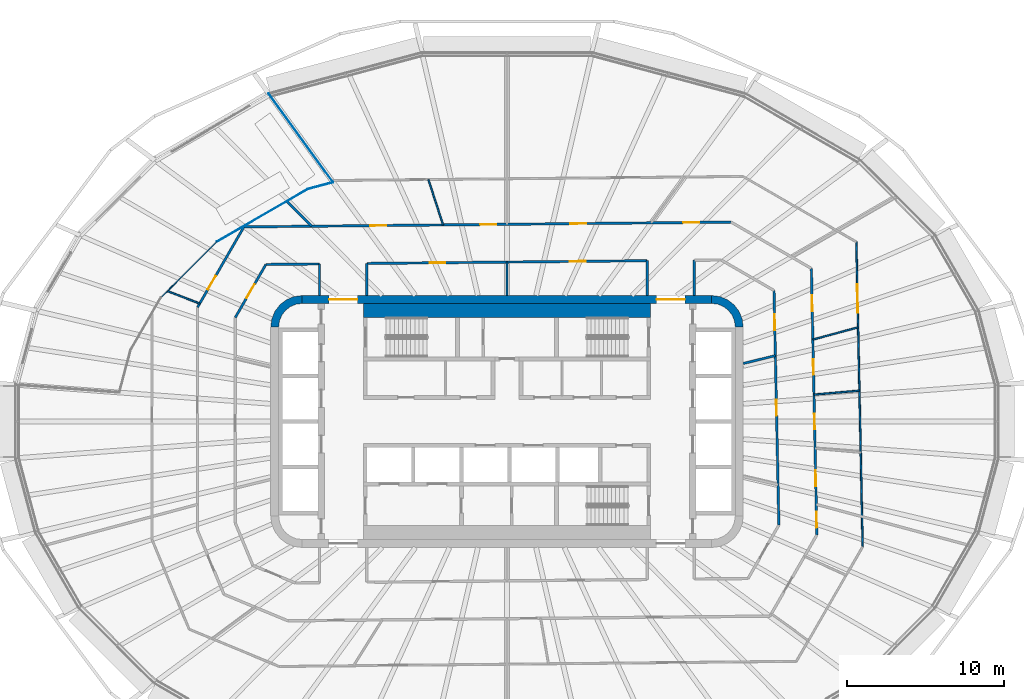
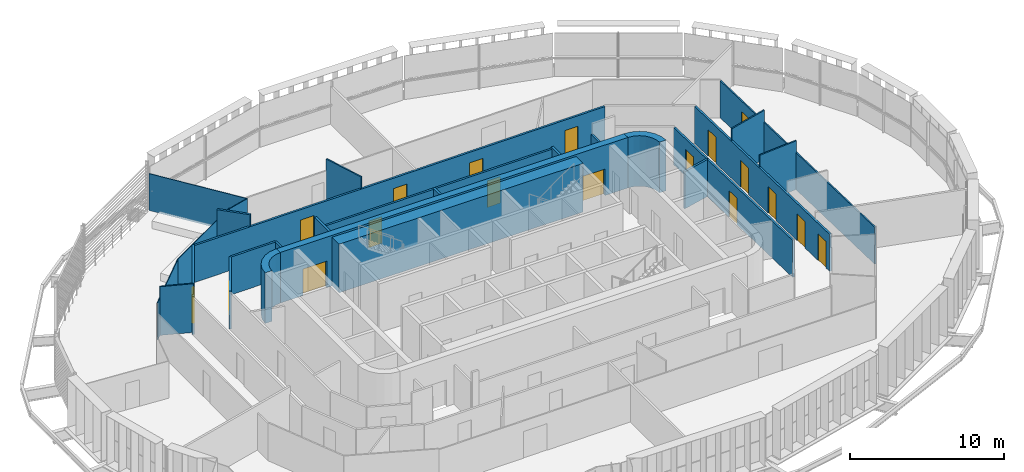
# One storey, part 14 of 23: 27 walls, 18 doors, 18 openings.
"""IFC4 building model written with IfcOpenShell, lengths in metres."""

from ifc_helpers import new_model, si_unit, direction, frame, frame_2d, origin, place, context, subcontext, project, spatial, polyline, rectangle, outline, extrude, material, layer, layer_set, type_object, element, fill, save


model = new_model("IFC4")

# Units and contexts
model_context = context("Model", 3, precision=1e-05, world=origin(), true_north=direction((0.0, 1.0)))
body_context = subcontext(model_context, "Body", "Model", "MODEL_VIEW")
ifc_project = project(units=[si_unit("LENGTHUNIT", "METRE"), si_unit("AREAUNIT", "SQUARE_METRE"), si_unit("VOLUMEUNIT", "CUBIC_METRE"), si_unit("PLANEANGLEUNIT", "RADIAN"), si_unit("MASSUNIT", "GRAM", prefix="KILO")], contexts=[model_context])

# Site, building, storey
site_placement = place(None, origin())
site = spatial("IfcSite", under=ifc_project, at=site_placement, CompositionType="ELEMENT")
building_placement = place(site_placement, origin())
building = spatial("IfcBuilding", under=site, at=building_placement, Name="Sahrelin Media Tower", CompositionType="ELEMENT")
storey_placement = place(building_placement, frame((0.0, 0.0, 169.60009765625)))
storey = spatial("IfcBuildingStorey", under=building, at=storey_placement, Name="L35", CompositionType="ELEMENT", Elevation=169.60009765625)

# Wall, openings, doors
ifc_material_1 = material(Name="Concrete C60/75", Category="concrete")
ifc_layer_1 = layer(ifc_material_1, 0.5)
ifc_layer_set_1 = layer_set([ifc_layer_1], Name="Core wall 500")
wall_type_1 = type_object("IfcWallType", Name="Core wall 500", PredefinedType="SHEAR", material=ifc_layer_set_1)
wall_1_placement = place(storey_placement, frame((-13.0, 7.75, 0.0), z_axis=(0.0, 0.0, 1.0), x_axis=(1.0, 0.0, 0.0)))
wall_1 = element("IfcWall", 1, at=wall_1_placement, inside=storey, type_object=wall_type_1, Name="Core wall N L35", PredefinedType="SHEAR", context=body_context, shape_type="SweptSolid", body=[
    extrude(rectangle(XDim=26.0, YDim=0.5, at=frame_2d((13.0, 0.0))), origin(), (0.0, 0.0, 1.0), 4.0),
])
opening_1_placement = place(wall_1_placement, frame((1.699951171875, 0.0, 0.0)))
opening_1 = element("IfcOpeningElement", 2, at=opening_1_placement, cuts=wall_1, Name="Opening L35-D19", PredefinedType="OPENING", context=body_context, shape_type="SweptSolid", body=[
    extrude(rectangle(XDim=1.800048828125, YDim=2.10009765625, at=frame_2d((0.89990234375, 1.050048828125))), frame((0.0, 0.25, 0.0), z_axis=(0.0, -1.0, 0.0), x_axis=(1.0, 0.0, 0.0)), (0.0, 0.0, 1.0), 0.5),
])
opening_2_placement = place(wall_1_placement, frame((22.5, 0.0, 0.0)))
opening_2 = element("IfcOpeningElement", 3, at=opening_2_placement, cuts=wall_1, Name="Opening L35-D20", PredefinedType="OPENING", context=body_context, shape_type="SweptSolid", body=[
    extrude(rectangle(XDim=1.800048828125, YDim=2.10009765625, at=frame_2d((0.89990234375, 1.050048828125))), frame((0.0, 0.25, 0.0), z_axis=(0.0, -1.0, 0.0), x_axis=(1.0, 0.0, 0.0)), (0.0, 0.0, 1.0), 0.5),
])
ifc_material_2 = material(Name="Steel fire door leaf", Category="steel")
door_type_1 = type_object("IfcDoorType", Name="Lobby double door 1800 x 2100 EI 60", OperationType="DOUBLE_DOOR_SINGLE_SWING", PredefinedType="DOOR", material=ifc_material_2)
door_1_placement = place(opening_1_placement, origin())
door_1 = element("IfcDoor", 4, at=door_1_placement, inside=storey, type_object=door_type_1, Name="Lobby door", OperationType="DOUBLE_DOOR_SINGLE_SWING", OverallHeight=2.10009765625, OverallWidth=1.800048828125, PredefinedType="DOOR", context=body_context, shape_type="SweptSolid", body=[
    extrude(rectangle(XDim=1.800048828125, YDim=2.10009765625, at=frame_2d((0.89990234375, 1.050048828125))), frame((0.0, 0.02490234375, 0.0), z_axis=(0.0, -1.0, 0.0), x_axis=(1.0, 0.0, 0.0)), (0.0, 0.0, 1.0), 0.050048828125),
])
fill(opening_1, door_1)
door_2_placement = place(opening_2_placement, origin())
door_2 = element("IfcDoor", 5, at=door_2_placement, inside=storey, type_object=door_type_1, Name="Lobby door", OperationType="DOUBLE_DOOR_SINGLE_SWING", OverallHeight=2.10009765625, OverallWidth=1.800048828125, PredefinedType="DOOR", context=body_context, shape_type="SweptSolid", body=[
    extrude(rectangle(XDim=1.800048828125, YDim=2.10009765625, at=frame_2d((0.89990234375, 1.050048828125))), frame((0.0, 0.02490234375, 0.0), z_axis=(0.0, -1.0, 0.0), x_axis=(1.0, 0.0, 0.0)), (0.0, 0.0, 1.0), 0.050048828125),
])
fill(opening_2, door_2)

# Walls
placement = place(storey_placement, origin())
element("IfcWall", 6, at=placement, inside=storey, type_object=wall_type_1, Name="Core wall corner NE L35", PredefinedType="SHEAR", context=body_context, shape_type="SweptSolid", body=[
    extrude(outline(polyline([(13.0, 8.0), (13.0, 7.49560546875), (13.38720703125, 7.44482421875), (13.747802734375, 7.29541015625), (14.0576171875, 7.0576171875), (14.29541015625, 6.747802734375), (14.44482421875, 6.38720703125), (14.49560546875, 6.0), (15.0, 6.0), (14.931884765625, 6.517578125), (14.732177734375, 7.0), (14.414306640625, 7.414306640625), (14.0, 7.732177734375), (13.517578125, 7.931884765625), (13.0, 8.0)])), origin(), (0.0, 0.0, 1.0), 4.0),
])
element("IfcWall", 7, at=placement, inside=storey, type_object=wall_type_1, Name="Core wall corner NW L35", PredefinedType="SHEAR", context=body_context, shape_type="SweptSolid", body=[
    extrude(outline(polyline([(-15.0, 6.0), (-14.49560546875, 6.0), (-14.44482421875, 6.38720703125), (-14.29541015625, 6.747802734375), (-14.0576171875, 7.0576171875), (-13.747802734375, 7.29541015625), (-13.38720703125, 7.44482421875), (-13.0, 7.49560546875), (-13.0, 8.0), (-13.517578125, 7.931884765625), (-14.0, 7.732177734375), (-14.414306640625, 7.414306640625), (-14.732177734375, 7.0), (-14.931884765625, 6.517578125), (-15.0, 6.0)])), origin(), (0.0, 0.0, 1.0), 4.0),
])

# Wall, openings, doors
ifc_material_3 = material(Name="Fire-rated gypsum board partition")
ifc_layer_2 = layer(ifc_material_3, 0.14990234375)
ifc_layer_set_2 = layer_set([ifc_layer_2], Name="Fire-rated partition 150")
wall_type_2 = type_object("IfcWallType", Name="Fire-rated partition 150", PredefinedType="PARTITIONING", material=ifc_layer_set_2)
wall_4_placement = place(storey_placement, frame((16.954833984375, 8.31396484375, 0.0), z_axis=(0.0, 0.0, 1.0), x_axis=(0.020631568882, -0.999787146529, 0.0)))
wall_4 = element("IfcWall", 8, at=wall_4_placement, inside=storey, type_object=wall_type_2, Name="Wall", PredefinedType="PARTITIONING", context=body_context, shape_type="SweptSolid", body=[
    extrude(rectangle(XDim=14.898193359375, YDim=0.14990234375, at=frame_2d((7.44921875, 0.0))), origin(), (0.0, 0.0, 1.0), 2.927001953125),
])
opening_3_placement = place(wall_4_placement, frame((6.94873046875, 0.0, 0.0)))
opening_3 = element("IfcOpeningElement", 9, at=opening_3_placement, cuts=wall_4, Name="Opening L35-D26", PredefinedType="OPENING", context=body_context, shape_type="SweptSolid", body=[
    extrude(rectangle(XDim=1.0, YDim=2.10009765625, at=frame_2d((0.5, 1.050048828125))), frame((0.0, 0.074951171875, 0.0), z_axis=(0.0, -1.0, 0.0), x_axis=(1.0, 0.0, 0.0)), (0.0, 0.0, 1.0), 0.14990234375),
])
opening_4_placement = place(wall_4_placement, frame((1.514404296875, 0.0, 0.0)))
opening_4 = element("IfcOpeningElement", 10, at=opening_4_placement, cuts=wall_4, Name="Opening L35-D27", PredefinedType="OPENING", context=body_context, shape_type="SweptSolid", body=[
    extrude(rectangle(XDim=1.0, YDim=2.10009765625, at=frame_2d((0.5, 1.050048828125))), frame((0.0, 0.074951171875, 0.0), z_axis=(0.0, -1.0, 0.0), x_axis=(1.0, 0.0, 0.0)), (0.0, 0.0, 1.0), 0.14990234375),
])
door_type_2 = type_object("IfcDoorType", Name="Fire door 1000 x 2100 EI 60", OperationType="NOTDEFINED", PredefinedType="DOOR", material=ifc_material_2)
door_3_placement = place(opening_3_placement, origin())
door_3 = element("IfcDoor", 11, at=door_3_placement, inside=storey, type_object=door_type_2, Name="Fire door", OperationType="SINGLE_SWING_LEFT", OverallHeight=2.10009765625, OverallWidth=1.0, PredefinedType="DOOR", context=body_context, shape_type="SweptSolid", body=[
    extrude(rectangle(XDim=1.0, YDim=2.10009765625, at=frame_2d((0.5, 1.050048828125))), frame((0.0, 0.02490234375, 0.0), z_axis=(0.0, -1.0, 0.0), x_axis=(1.0, 0.0, 0.0)), (0.0, 0.0, 1.0), 0.050048828125),
])
fill(opening_3, door_3)
door_4_placement = place(opening_4_placement, origin())
door_4 = element("IfcDoor", 12, at=door_4_placement, inside=storey, type_object=door_type_2, Name="Fire door", OperationType="SINGLE_SWING_LEFT", OverallHeight=2.10009765625, OverallWidth=1.0, PredefinedType="DOOR", context=body_context, shape_type="SweptSolid", body=[
    extrude(rectangle(XDim=1.0, YDim=2.10009765625, at=frame_2d((0.5, 1.050048828125))), frame((0.0, 0.02490234375, 0.0), z_axis=(0.0, -1.0, 0.0), x_axis=(1.0, 0.0, 0.0)), (0.0, 0.0, 1.0), 0.050048828125),
])
fill(opening_4, door_4)

wall_5_placement = place(storey_placement, frame((19.326904296875, 9.716064453125, 0.0), z_axis=(0.0, 0.0, 1.0), x_axis=(0.020632909715, -0.999787118859, 0.0)))
wall_5 = element("IfcWall", 13, at=wall_5_placement, inside=storey, type_object=wall_type_2, Name="Wall", PredefinedType="PARTITIONING", context=body_context, shape_type="SweptSolid", body=[
    extrude(rectangle(XDim=16.920654296875, YDim=0.14990234375, at=frame_2d((8.46044921875, 0.0))), origin(), (0.0, 0.0, 1.0), 2.927001953125),
])
opening_5_placement = place(wall_5_placement, frame((15.45068359375, 0.0, 0.0)))
opening_5 = element("IfcOpeningElement", 14, at=opening_5_placement, cuts=wall_5, Name="Opening L35-D40", PredefinedType="OPENING", context=body_context, shape_type="SweptSolid", body=[
    extrude(rectangle(XDim=1.0, YDim=2.10009765625, at=frame_2d((0.5, 1.050048828125))), frame((0.0, 0.074951171875, 0.0), z_axis=(0.0, -1.0, 0.0), x_axis=(1.0, 0.0, 0.0)), (0.0, 0.0, 1.0), 0.14990234375),
])
opening_6_placement = place(wall_5_placement, frame((12.819091796875, 0.0, 0.0)))
opening_6 = element("IfcOpeningElement", 15, at=opening_6_placement, cuts=wall_5, Name="Opening L35-D42", PredefinedType="OPENING", context=body_context, shape_type="SweptSolid", body=[
    extrude(rectangle(XDim=1.0, YDim=2.10009765625, at=frame_2d((0.5, 1.050048828125))), frame((0.0, 0.074951171875, 0.0), z_axis=(0.0, -1.0, 0.0), x_axis=(1.0, 0.0, 0.0)), (0.0, 0.0, 1.0), 0.14990234375),
])
opening_7_placement = place(wall_5_placement, frame((9.225830078125, 0.0, 0.0)))
opening_7 = element("IfcOpeningElement", 16, at=opening_7_placement, cuts=wall_5, Name="Opening L35-D43", PredefinedType="OPENING", context=body_context, shape_type="SweptSolid", body=[
    extrude(rectangle(XDim=1.0, YDim=2.10009765625, at=frame_2d((0.5, 1.050048828125))), frame((0.0, 0.074951171875, 0.0), z_axis=(0.0, -1.0, 0.0), x_axis=(1.0, 0.0, 0.0)), (0.0, 0.0, 1.0), 0.14990234375),
])
opening_8_placement = place(wall_5_placement, frame((5.76220703125, 0.0, 0.0)))
opening_8 = element("IfcOpeningElement", 17, at=opening_8_placement, cuts=wall_5, Name="Opening L35-D44", PredefinedType="OPENING", context=body_context, shape_type="SweptSolid", body=[
    extrude(rectangle(XDim=1.0, YDim=2.10009765625, at=frame_2d((0.5, 1.050048828125))), frame((0.0, 0.074951171875, 0.0), z_axis=(0.0, -1.0, 0.0), x_axis=(1.0, 0.0, 0.0)), (0.0, 0.0, 1.0), 0.14990234375),
])
opening_9_placement = place(wall_5_placement, frame((1.706298828125, 0.0, 0.0)))
opening_9 = element("IfcOpeningElement", 18, at=opening_9_placement, cuts=wall_5, Name="Opening L35-D45", PredefinedType="OPENING", context=body_context, shape_type="SweptSolid", body=[
    extrude(rectangle(XDim=1.0, YDim=2.10009765625, at=frame_2d((0.5, 1.050048828125))), frame((0.0, 0.074951171875, 0.0), z_axis=(0.0, -1.0, 0.0), x_axis=(1.0, 0.0, 0.0)), (0.0, 0.0, 1.0), 0.14990234375),
])
door_5_placement = place(opening_5_placement, origin())
door_5 = element("IfcDoor", 19, at=door_5_placement, inside=storey, type_object=door_type_2, Name="Fire door", OperationType="SINGLE_SWING_LEFT", OverallHeight=2.10009765625, OverallWidth=1.0, PredefinedType="DOOR", context=body_context, shape_type="SweptSolid", body=[
    extrude(rectangle(XDim=1.0, YDim=2.10009765625, at=frame_2d((0.5, 1.050048828125))), frame((0.0, 0.02490234375, 0.0), z_axis=(0.0, -1.0, 0.0), x_axis=(1.0, 0.0, 0.0)), (0.0, 0.0, 1.0), 0.050048828125),
])
fill(opening_5, door_5)
door_6_placement = place(opening_6_placement, origin())
door_6 = element("IfcDoor", 20, at=door_6_placement, inside=storey, type_object=door_type_2, Name="Fire door", OperationType="SINGLE_SWING_RIGHT", OverallHeight=2.10009765625, OverallWidth=1.0, PredefinedType="DOOR", context=body_context, shape_type="SweptSolid", body=[
    extrude(rectangle(XDim=1.0, YDim=2.10009765625, at=frame_2d((0.5, 1.050048828125))), frame((0.0, 0.02490234375, 0.0), z_axis=(0.0, -1.0, 0.0), x_axis=(1.0, 0.0, 0.0)), (0.0, 0.0, 1.0), 0.050048828125),
])
fill(opening_6, door_6)
door_7_placement = place(opening_7_placement, origin())
door_7 = element("IfcDoor", 21, at=door_7_placement, inside=storey, type_object=door_type_2, Name="Fire door", OperationType="SINGLE_SWING_RIGHT", OverallHeight=2.10009765625, OverallWidth=1.0, PredefinedType="DOOR", context=body_context, shape_type="SweptSolid", body=[
    extrude(rectangle(XDim=1.0, YDim=2.10009765625, at=frame_2d((0.5, 1.050048828125))), frame((0.0, 0.02490234375, 0.0), z_axis=(0.0, -1.0, 0.0), x_axis=(1.0, 0.0, 0.0)), (0.0, 0.0, 1.0), 0.050048828125),
])
fill(opening_7, door_7)
door_8_placement = place(opening_8_placement, origin())
door_8 = element("IfcDoor", 22, at=door_8_placement, inside=storey, type_object=door_type_2, Name="Fire door", OperationType="SINGLE_SWING_RIGHT", OverallHeight=2.10009765625, OverallWidth=1.0, PredefinedType="DOOR", context=body_context, shape_type="SweptSolid", body=[
    extrude(rectangle(XDim=1.0, YDim=2.10009765625, at=frame_2d((0.5, 1.050048828125))), frame((0.0, 0.02490234375, 0.0), z_axis=(0.0, -1.0, 0.0), x_axis=(1.0, 0.0, 0.0)), (0.0, 0.0, 1.0), 0.050048828125),
])
fill(opening_8, door_8)
door_9_placement = place(opening_9_placement, origin())
door_9 = element("IfcDoor", 23, at=door_9_placement, inside=storey, type_object=door_type_2, Name="Fire door", OperationType="SINGLE_SWING_LEFT", OverallHeight=2.10009765625, OverallWidth=1.0, PredefinedType="DOOR", context=body_context, shape_type="SweptSolid", body=[
    extrude(rectangle(XDim=1.0, YDim=2.10009765625, at=frame_2d((0.5, 1.050048828125))), frame((0.0, 0.02490234375, 0.0), z_axis=(0.0, -1.0, 0.0), x_axis=(1.0, 0.0, 0.0)), (0.0, 0.0, 1.0), 0.050048828125),
])
fill(opening_9, door_9)

# Walls
wall_6_placement = place(storey_placement, frame((-13.98095703125, 13.98095703125, 0.0), z_axis=(0.0, 0.0, 1.0), x_axis=(0.707106781187, -0.707106781187, 0.0)))
element("IfcWall", 24, at=wall_6_placement, inside=storey, type_object=wall_type_2, Name="Wall", PredefinedType="PARTITIONING", context=body_context, shape_type="SweptSolid", body=[
    extrude(rectangle(XDim=2.23876953125, YDim=0.14990234375, at=frame_2d((1.119384765625, 0.0))), origin(), (0.0, 0.0, 1.0), 3.849853515625),
])
wall_7_placement = place(storey_placement, frame((-15.305908203125, 9.968994140625, 0.0), z_axis=(0.0, 0.0, 1.0), x_axis=(0.999951080092, 0.009891280127, 0.0)))
element("IfcWall", 25, at=wall_7_placement, inside=storey, type_object=wall_type_2, Name="Wall", PredefinedType="PARTITIONING", context=body_context, shape_type="SweptSolid", body=[
    extrude(rectangle(XDim=3.40625, YDim=0.14990234375, at=frame_2d((1.703125, 0.0))), origin(), (0.0, 0.0, 1.0), 2.994873046875),
])

# Wall, openings, doors
wall_8_placement = place(storey_placement, frame((-8.89990234375, 10.032958984375, 0.0), z_axis=(0.0, 0.0, 1.0), x_axis=(0.999951376553, 0.009861264055, 0.0)))
wall_8 = element("IfcWall", 26, at=wall_8_placement, inside=storey, type_object=wall_type_2, Name="Wall", PredefinedType="PARTITIONING", context=body_context, shape_type="SweptSolid", body=[
    extrude(rectangle(XDim=17.80078125, YDim=0.14990234375, at=frame_2d((8.900390625, 0.0))), origin(), (0.0, 0.0, 1.0), 2.927001953125),
])
opening_10_placement = place(wall_8_placement, frame((12.90087890625, 0.0, 0.0)))
opening_10 = element("IfcOpeningElement", 27, at=opening_10_placement, cuts=wall_8, Name="Opening L35-D28", PredefinedType="OPENING", context=body_context, shape_type="SweptSolid", body=[
    extrude(rectangle(XDim=1.0, YDim=2.10009765625, at=frame_2d((0.5, 1.050048828125))), frame((0.0, 0.074951171875, 0.0), z_axis=(0.0, -1.0, 0.0), x_axis=(1.0, 0.0, 0.0)), (0.0, 0.0, 1.0), 0.14990234375),
])
opening_11_placement = place(wall_8_placement, frame((3.99169921875, 0.0, 0.0)))
opening_11 = element("IfcOpeningElement", 28, at=opening_11_placement, cuts=wall_8, Name="Opening L35-D29", PredefinedType="OPENING", context=body_context, shape_type="SweptSolid", body=[
    extrude(rectangle(XDim=1.0, YDim=2.10009765625, at=frame_2d((0.5, 1.050048828125))), frame((0.0, 0.074951171875, 0.0), z_axis=(0.0, -1.0, 0.0), x_axis=(1.0, 0.0, 0.0)), (0.0, 0.0, 1.0), 0.14990234375),
])
door_10_placement = place(opening_10_placement, origin())
door_10 = element("IfcDoor", 29, at=door_10_placement, inside=storey, type_object=door_type_2, Name="Fire door", OperationType="SINGLE_SWING_LEFT", OverallHeight=2.10009765625, OverallWidth=1.0, PredefinedType="DOOR", context=body_context, shape_type="SweptSolid", body=[
    extrude(rectangle(XDim=1.0, YDim=2.10009765625, at=frame_2d((0.5, 1.050048828125))), frame((0.0, 0.02490234375, 0.0), z_axis=(0.0, -1.0, 0.0), x_axis=(1.0, 0.0, 0.0)), (0.0, 0.0, 1.0), 0.050048828125),
])
fill(opening_10, door_10)
door_11_placement = place(opening_11_placement, origin())
door_11 = element("IfcDoor", 30, at=door_11_placement, inside=storey, type_object=door_type_2, Name="Fire door", OperationType="SINGLE_SWING_RIGHT", OverallHeight=2.10009765625, OverallWidth=1.0, PredefinedType="DOOR", context=body_context, shape_type="SweptSolid", body=[
    extrude(rectangle(XDim=1.0, YDim=2.10009765625, at=frame_2d((0.5, 1.050048828125))), frame((0.0, 0.02490234375, 0.0), z_axis=(0.0, -1.0, 0.0), x_axis=(1.0, 0.0, 0.0)), (0.0, 0.0, 1.0), 0.050048828125),
])
fill(opening_11, door_11)

wall_9_placement = place(storey_placement, frame((-16.699951171875, 12.35498046875, 0.0), z_axis=(0.0, 0.0, 1.0), x_axis=(0.999951312483, 0.009867758809, 0.0)))
wall_9 = element("IfcWall", 31, at=wall_9_placement, inside=storey, type_object=wall_type_2, Name="Wall", PredefinedType="PARTITIONING", context=body_context, shape_type="SweptSolid", body=[
    extrude(rectangle(XDim=30.926513671875, YDim=0.14990234375, at=frame_2d((15.46337890625, 0.0))), origin(), (0.0, 0.0, 1.0), 2.927001953125),
])
opening_12_placement = place(wall_9_placement, frame((27.8955078125, 0.0, 0.0)))
opening_12 = element("IfcOpeningElement", 32, at=opening_12_placement, cuts=wall_9, Name="Opening L35-D47", PredefinedType="OPENING", context=body_context, shape_type="SweptSolid", body=[
    extrude(rectangle(XDim=1.0, YDim=2.10009765625, at=frame_2d((0.5, 1.050048828125))), frame((0.0, 0.074951171875, 0.0), z_axis=(0.0, -1.0, 0.0), x_axis=(1.0, 0.0, 0.0)), (0.0, 0.0, 1.0), 0.14990234375),
])
opening_13_placement = place(wall_9_placement, frame((20.73291015625, 0.0, 0.0)))
opening_13 = element("IfcOpeningElement", 33, at=opening_13_placement, cuts=wall_9, Name="Opening L35-D48", PredefinedType="OPENING", context=body_context, shape_type="SweptSolid", body=[
    extrude(rectangle(XDim=1.0, YDim=2.10009765625, at=frame_2d((0.5, 1.050048828125))), frame((0.0, 0.074951171875, 0.0), z_axis=(0.0, -1.0, 0.0), x_axis=(1.0, 0.0, 0.0)), (0.0, 0.0, 1.0), 0.14990234375),
])
opening_14_placement = place(wall_9_placement, frame((15.013671875, 0.0, 0.0)))
opening_14 = element("IfcOpeningElement", 34, at=opening_14_placement, cuts=wall_9, Name="Opening L35-D50", PredefinedType="OPENING", context=body_context, shape_type="SweptSolid", body=[
    extrude(rectangle(XDim=1.0, YDim=2.10009765625, at=frame_2d((0.5, 1.050048828125))), frame((0.0, 0.074951171875, 0.0), z_axis=(0.0, -1.0, 0.0), x_axis=(1.0, 0.0, 0.0)), (0.0, 0.0, 1.0), 0.14990234375),
])
opening_15_placement = place(wall_9_placement, frame((8.025390625, 0.0, 0.0)))
opening_15 = element("IfcOpeningElement", 35, at=opening_15_placement, cuts=wall_9, Name="Opening L35-D51", PredefinedType="OPENING", context=body_context, shape_type="SweptSolid", body=[
    extrude(rectangle(XDim=1.0, YDim=2.10009765625, at=frame_2d((0.5, 1.050048828125))), frame((0.0, 0.074951171875, 0.0), z_axis=(0.0, -1.0, 0.0), x_axis=(1.0, 0.0, 0.0)), (0.0, 0.0, 1.0), 0.14990234375),
])
door_12_placement = place(opening_12_placement, origin())
door_12 = element("IfcDoor", 36, at=door_12_placement, inside=storey, type_object=door_type_2, Name="Fire door", OperationType="SINGLE_SWING_LEFT", OverallHeight=2.10009765625, OverallWidth=1.0, PredefinedType="DOOR", context=body_context, shape_type="SweptSolid", body=[
    extrude(rectangle(XDim=1.0, YDim=2.10009765625, at=frame_2d((0.5, 1.050048828125))), frame((0.0, 0.02490234375, 0.0), z_axis=(0.0, -1.0, 0.0), x_axis=(1.0, 0.0, 0.0)), (0.0, 0.0, 1.0), 0.050048828125),
])
fill(opening_12, door_12)
door_13_placement = place(opening_13_placement, origin())
door_13 = element("IfcDoor", 37, at=door_13_placement, inside=storey, type_object=door_type_2, Name="Fire door", OperationType="SINGLE_SWING_LEFT", OverallHeight=2.10009765625, OverallWidth=1.0, PredefinedType="DOOR", context=body_context, shape_type="SweptSolid", body=[
    extrude(rectangle(XDim=1.0, YDim=2.10009765625, at=frame_2d((0.5, 1.050048828125))), frame((0.0, 0.02490234375, 0.0), z_axis=(0.0, -1.0, 0.0), x_axis=(1.0, 0.0, 0.0)), (0.0, 0.0, 1.0), 0.050048828125),
])
fill(opening_13, door_13)
door_14_placement = place(opening_14_placement, origin())
door_14 = element("IfcDoor", 38, at=door_14_placement, inside=storey, type_object=door_type_2, Name="Fire door", OperationType="SINGLE_SWING_LEFT", OverallHeight=2.10009765625, OverallWidth=1.0, PredefinedType="DOOR", context=body_context, shape_type="SweptSolid", body=[
    extrude(rectangle(XDim=1.0, YDim=2.10009765625, at=frame_2d((0.5, 1.050048828125))), frame((0.0, 0.02490234375, 0.0), z_axis=(0.0, -1.0, 0.0), x_axis=(1.0, 0.0, 0.0)), (0.0, 0.0, 1.0), 0.050048828125),
])
fill(opening_14, door_14)
door_15_placement = place(opening_15_placement, origin())
door_15 = element("IfcDoor", 39, at=door_15_placement, inside=storey, type_object=door_type_2, Name="Fire door", OperationType="SINGLE_SWING_RIGHT", OverallHeight=2.10009765625, OverallWidth=1.0, PredefinedType="DOOR", context=body_context, shape_type="SweptSolid", body=[
    extrude(rectangle(XDim=1.0, YDim=2.10009765625, at=frame_2d((0.5, 1.050048828125))), frame((0.0, 0.02490234375, 0.0), z_axis=(0.0, -1.0, 0.0), x_axis=(1.0, 0.0, 0.0)), (0.0, 0.0, 1.0), 0.050048828125),
])
fill(opening_15, door_15)

# Wall
wall_10_placement = place(storey_placement, frame((15.0, 3.680908203125, 0.0), z_axis=(0.0, 0.0, 1.0), x_axis=(0.971118944767, 0.238595882433, 0.0)))
element("IfcWall", 40, at=wall_10_placement, inside=storey, type_object=wall_type_2, Name="Wall", PredefinedType="PARTITIONING", context=body_context, shape_type="SweptSolid", body=[
    extrude(rectangle(XDim=2.100830078125, YDim=0.14990234375, at=frame_2d((1.05029296875, 0.0))), origin(), (0.0, 0.0, 1.0), 2.927001953125),
])

# Wall, opening, door
wall_11_placement = place(storey_placement, frame((-17.25, 6.60302734375, 0.0), z_axis=(0.0, 0.0, 1.0), x_axis=(0.499659014053, 0.866222182627, 0.0)))
wall_11 = element("IfcWall", 41, at=wall_11_placement, inside=storey, type_object=wall_type_2, Name="Wall", PredefinedType="PARTITIONING", context=body_context, shape_type="SweptSolid", body=[
    extrude(rectangle(XDim=3.886962890625, YDim=0.14990234375, at=frame_2d((1.943359375, 0.0))), origin(), (0.0, 0.0, 1.0), 2.994873046875),
])
opening_16_placement = place(wall_11_placement, frame((1.433837890625, 0.0, 0.0)))
opening_16 = element("IfcOpeningElement", 42, at=opening_16_placement, cuts=wall_11, Name="Opening L35-D30", PredefinedType="OPENING", context=body_context, shape_type="SweptSolid", body=[
    extrude(rectangle(XDim=1.0, YDim=2.10009765625, at=frame_2d((0.5, 1.050048828125))), frame((0.0, 0.074951171875, 0.0), z_axis=(0.0, -1.0, 0.0), x_axis=(1.0, 0.0, 0.0)), (0.0, 0.0, 1.0), 0.14990234375),
])
door_16_placement = place(opening_16_placement, origin())
door_16 = element("IfcDoor", 43, at=door_16_placement, inside=storey, type_object=door_type_2, Name="Fire door", OperationType="SINGLE_SWING_RIGHT", OverallHeight=2.10009765625, OverallWidth=1.0, PredefinedType="DOOR", context=body_context, shape_type="SweptSolid", body=[
    extrude(rectangle(XDim=1.0, YDim=2.10009765625, at=frame_2d((0.5, 1.050048828125))), frame((0.0, 0.02490234375, 0.0), z_axis=(0.0, -1.0, 0.0), x_axis=(1.0, 0.0, 0.0)), (0.0, 0.0, 1.0), 0.050048828125),
])
fill(opening_16, door_16)

wall_12_placement = place(storey_placement, frame((-19.64990234375, 7.24609375, 0.0), z_axis=(0.0, 0.0, 1.0), x_axis=(0.499673489744, 0.866213832519, 0.0)))
wall_12 = element("IfcWall", 44, at=wall_12_placement, inside=storey, type_object=wall_type_2, Name="Wall", PredefinedType="PARTITIONING", context=body_context, shape_type="SweptSolid", body=[
    extrude(rectangle(XDim=5.8994140625, YDim=0.14990234375, at=frame_2d((2.94970703125, 0.0))), origin(), (0.0, 0.0, 1.0), 2.994873046875),
])
opening_17_placement = place(wall_12_placement, frame((1.309814453125, 0.0, 0.0)))
opening_17 = element("IfcOpeningElement", 45, at=opening_17_placement, cuts=wall_12, Name="Opening L35-D53", PredefinedType="OPENING", context=body_context, shape_type="SweptSolid", body=[
    extrude(rectangle(XDim=1.0, YDim=2.10009765625, at=frame_2d((0.5, 1.050048828125))), frame((0.0, 0.074951171875, 0.0), z_axis=(0.0, -1.0, 0.0), x_axis=(1.0, 0.0, 0.0)), (0.0, 0.0, 1.0), 0.14990234375),
])
door_17_placement = place(opening_17_placement, origin())
door_17 = element("IfcDoor", 46, at=door_17_placement, inside=storey, type_object=door_type_2, Name="Fire door", OperationType="SINGLE_SWING_RIGHT", OverallHeight=2.10009765625, OverallWidth=1.0, PredefinedType="DOOR", context=body_context, shape_type="SweptSolid", body=[
    extrude(rectangle(XDim=1.0, YDim=2.10009765625, at=frame_2d((0.5, 1.050048828125))), frame((0.0, 0.02490234375, 0.0), z_axis=(0.0, -1.0, 0.0), x_axis=(1.0, 0.0, 0.0)), (0.0, 0.0, 1.0), 0.050048828125),
])
fill(opening_17, door_17)

# Walls
wall_13_placement = place(storey_placement, frame((11.89990234375, 8.0, 0.0), z_axis=(0.0, 0.0, 1.0), x_axis=(0.0, 1.0, 0.0)))
element("IfcWall", 47, at=wall_13_placement, inside=storey, type_object=wall_type_2, Name="Wall", PredefinedType="PARTITIONING", context=body_context, shape_type="SweptSolid", body=[
    extrude(rectangle(XDim=2.239013671875, YDim=0.14990234375, at=frame_2d((1.11962890625, 0.0))), origin(), (0.0, 0.0, 1.0), 2.994873046875),
])
wall_14_placement = place(storey_placement, frame((8.89990234375, 8.0, 0.0), z_axis=(0.0, 0.0, 1.0), x_axis=(0.0, 1.0, 0.0)))
element("IfcWall", 48, at=wall_14_placement, inside=storey, type_object=wall_type_2, Name="Wall", PredefinedType="PARTITIONING", context=body_context, shape_type="SweptSolid", body=[
    extrude(rectangle(XDim=2.208984375, YDim=0.14990234375, at=frame_2d((1.1044921875, 0.0))), origin(), (0.0, 0.0, 1.0), 3.075927734375),
])
wall_15_placement = place(storey_placement, frame((0.0, 8.0, 0.0), z_axis=(0.0, 0.0, 1.0), x_axis=(0.0, 1.0, 0.0)))
element("IfcWall", 49, at=wall_15_placement, inside=storey, type_object=wall_type_2, Name="Wall", PredefinedType="PARTITIONING", context=body_context, shape_type="SweptSolid", body=[
    extrude(rectangle(XDim=2.12109375, YDim=0.14990234375, at=frame_2d((1.060546875, 0.0))), origin(), (0.0, 0.0, 1.0), 2.994873046875),
])
wall_16_placement = place(storey_placement, frame((-8.89990234375, 8.0, 0.0), z_axis=(0.0, 0.0, 1.0), x_axis=(0.0, 1.0, 0.0)))
element("IfcWall", 50, at=wall_16_placement, inside=storey, type_object=wall_type_2, Name="Wall", PredefinedType="PARTITIONING", context=body_context, shape_type="SweptSolid", body=[
    extrude(rectangle(XDim=2.032958984375, YDim=0.14990234375, at=frame_2d((1.0166015625, 0.0))), origin(), (0.0, 0.0, 1.0), 3.849853515625),
])
wall_17_placement = place(storey_placement, frame((-11.89990234375, 8.0, 0.0), z_axis=(0.0, 0.0, 1.0), x_axis=(0.0, 1.0, 0.0)))
element("IfcWall", 51, at=wall_17_placement, inside=storey, type_object=wall_type_2, Name="Wall", PredefinedType="PARTITIONING", context=body_context, shape_type="SweptSolid", body=[
    extrude(rectangle(XDim=2.0, YDim=0.14990234375, at=frame_2d((1.0, 0.0))), origin(), (0.0, 0.0, 1.0), 2.994873046875),
])
ifc_material_4 = material(Name="Clear glass", Category="glass")
ifc_layer_3 = layer(ifc_material_4, 0.050048828125)
ifc_layer_set_3 = layer_set([ifc_layer_3], Name="Glazed partition 50")
wall_type_3 = type_object("IfcWallType", Name="Glazed partition 50", PredefinedType="PARTITIONING", material=ifc_layer_set_3)
wall_18_placement = place(storey_placement, frame((-15.132080078125, 20.822021484375, 0.0), z_axis=(0.0, 0.0, 1.0), x_axis=(0.588027821511, -0.808840701949, 0.0)))
element("IfcWall", 52, at=wall_18_placement, inside=storey, type_object=wall_type_3, Name="Wall", PredefinedType="PARTITIONING", context=body_context, shape_type="SweptSolid", body=[
    extrude(rectangle(XDim=6.962158203125, YDim=0.050048828125, at=frame_2d((3.48095703125, 0.0))), origin(), (0.0, 0.0, 1.0), 2.927001953125),
])
wall_19_placement = place(storey_placement, frame((-12.623046875, 14.764892578125, 0.0), z_axis=(0.0, 0.0, 1.0), x_axis=(0.965831022922, 0.259172597242, 0.0)))
element("IfcWall", 53, at=wall_19_placement, inside=storey, type_object=wall_type_3, Name="Wall", PredefinedType="PARTITIONING", context=body_context, shape_type="SweptSolid", body=[
    extrude(rectangle(XDim=1.64013671875, YDim=0.050048828125, at=frame_2d((0.820068359375, 0.0))), origin(), (0.0, 0.0, 1.0), 2.927001953125),
])
wall_20_placement = place(storey_placement, frame((-18.4189453125, 11.4189453125, 0.0), z_axis=(0.0, 0.0, 1.0), x_axis=(0.866045865693, 0.499964557259, 0.0)))
element("IfcWall", 54, at=wall_20_placement, inside=storey, type_object=wall_type_3, Name="Wall", PredefinedType="PARTITIONING", context=body_context, shape_type="SweptSolid", body=[
    extrude(rectangle(XDim=6.6923828125, YDim=0.050048828125, at=frame_2d((3.34619140625, 0.0))), origin(), (0.0, 0.0, 1.0), 2.994873046875),
])
wall_21_placement = place(storey_placement, frame((-21.97705078125, 7.861083984375, 0.0), z_axis=(0.0, 0.0, 1.0), x_axis=(0.70713104079, 0.707082520751, 0.0)))
element("IfcWall", 55, at=wall_21_placement, inside=storey, type_object=wall_type_3, Name="Wall", PredefinedType="PARTITIONING", context=body_context, shape_type="SweptSolid", body=[
    extrude(rectangle(XDim=5.03173828125, YDim=0.050048828125, at=frame_2d((2.515869140625, 0.0))), origin(), (0.0, 0.0, 1.0), 2.994873046875),
])

# Wall, opening, door
ifc_material_5 = material(Name="Gypsum board partition")
ifc_layer_4 = layer(ifc_material_5, 0.10009765625)
ifc_layer_set_4 = layer_set([ifc_layer_4], Name="Partition 100")
wall_type_4 = type_object("IfcWallType", Name="Partition 100", PredefinedType="PARTITIONING", material=ifc_layer_set_4)
wall_22_placement = place(storey_placement, frame((22.18310546875, 11.404052734375, 0.0), z_axis=(0.0, 0.0, 1.0), x_axis=(0.020584540725, -0.999788115894, 0.0)))
wall_22 = element("IfcWall", 56, at=wall_22_placement, inside=storey, type_object=wall_type_4, Name="Wall", PredefinedType="PARTITIONING", context=body_context, shape_type="SweptSolid", body=[
    extrude(rectangle(XDim=19.356201171875, YDim=0.10009765625, at=frame_2d((9.67822265625, 0.0))), origin(), (0.0, 0.0, 1.0), 2.927001953125),
])
opening_18_placement = place(wall_22_placement, frame((2.70361328125, 0.0, 0.0)))
opening_18 = element("IfcOpeningElement", 57, at=opening_18_placement, cuts=wall_22, Name="Opening L35-D46", PredefinedType="OPENING", context=body_context, shape_type="SweptSolid", body=[
    extrude(rectangle(XDim=1.800048828125, YDim=2.10009765625, at=frame_2d((0.89990234375, 1.050048828125))), frame((0.0, 0.050048828125, 0.0), z_axis=(0.0, -1.0, 0.0), x_axis=(1.0, 0.0, 0.0)), (0.0, 0.0, 1.0), 0.10009765625),
])
ifc_material_6 = material(Name="Timber door leaf", Category="wood")
door_type_3 = type_object("IfcDoorType", Name="Double door 1800 x 2100", OperationType="DOUBLE_DOOR_SINGLE_SWING", PredefinedType="DOOR", material=ifc_material_6)
door_18_placement = place(opening_18_placement, origin())
door_18 = element("IfcDoor", 58, at=door_18_placement, inside=storey, type_object=door_type_3, Name="Double door", OperationType="DOUBLE_DOOR_SINGLE_SWING", OverallHeight=2.10009765625, OverallWidth=1.800048828125, PredefinedType="DOOR", context=body_context, shape_type="SweptSolid", body=[
    extrude(rectangle(XDim=1.800048828125, YDim=2.10009765625, at=frame_2d((0.89990234375, 1.050048828125))), frame((0.0, 0.02490234375, 0.0), z_axis=(0.0, -1.0, 0.0), x_axis=(1.0, 0.0, 0.0)), (0.0, 0.0, 1.0), 0.050048828125),
])
fill(opening_18, door_18)

# Walls
wall_23_placement = place(storey_placement, frame((-4.990966796875, 15.361083984375, 0.0), z_axis=(0.0, 0.0, 1.0), x_axis=(0.309084249462, -0.951034661164, 0.0)))
element("IfcWall", 59, at=wall_23_placement, inside=storey, type_object=wall_type_4, Name="Wall", PredefinedType="PARTITIONING", context=body_context, shape_type="SweptSolid", body=[
    extrude(rectangle(XDim=3.0283203125, YDim=0.10009765625, at=frame_2d((1.51416015625, 0.0))), origin(), (0.0, 0.0, 1.0), 3.849853515625),
])
wall_24_placement = place(storey_placement, frame((-21.56103515625, 8.277099609375, 0.0), z_axis=(0.0, 0.0, 1.0), x_axis=(0.933462969835, -0.358673784862, 0.0)))
element("IfcWall", 60, at=wall_24_placement, inside=storey, type_object=wall_type_4, Name="Wall", PredefinedType="PARTITIONING", context=body_context, shape_type="SweptSolid", body=[
    extrude(rectangle(XDim=2.197265625, YDim=0.10009765625, at=frame_2d((1.0986328125, 0.0))), origin(), (0.0, 0.0, 1.0), 3.849853515625),
])
wall_25_placement = place(storey_placement, frame((19.491943359375, 1.705078125, 0.0), z_axis=(0.0, 0.0, 1.0), x_axis=(0.996181541968, 0.087305987436, 0.0)))
element("IfcWall", 61, at=wall_25_placement, inside=storey, type_object=wall_type_4, Name="Wall", PredefinedType="PARTITIONING", context=body_context, shape_type="SweptSolid", body=[
    extrude(rectangle(XDim=2.89697265625, YDim=0.10009765625, at=frame_2d((1.448486328125, 0.0))), origin(), (0.0, 0.0, 1.0), 3.849853515625),
])
wall_26_placement = place(storey_placement, frame((19.419921875, 5.202880859375, 0.0), z_axis=(0.0, 0.0, 1.0), x_axis=(0.965851348081, 0.259096841762, 0.0)))
element("IfcWall", 62, at=wall_26_placement, inside=storey, type_object=wall_type_4, Name="Wall", PredefinedType="PARTITIONING", context=body_context, shape_type="SweptSolid", body=[
    extrude(rectangle(XDim=2.9765625, YDim=0.10009765625, at=frame_2d((1.48828125, 0.0))), origin(), (0.0, 0.0, 1.0), 3.849853515625),
])
ifc_layer_5 = layer(ifc_material_1, 0.89990234375)
ifc_layer_set_5 = layer_set([ifc_layer_5], Name="Stair enclosure wall 900")
wall_type_5 = type_object("IfcWallType", Name="Stair enclosure wall 900", PredefinedType="SOLIDWALL", material=ifc_layer_set_5)
wall_27_placement = place(storey_placement, frame((-9.125, 7.050048828125, 0.0), z_axis=(0.0, 0.0, 1.0), x_axis=(1.0, 0.0, 0.0)))
element("IfcWall", 63, at=wall_27_placement, inside=storey, type_object=wall_type_5, Name="Stair enclosure wall", PredefinedType="SOLIDWALL", context=body_context, shape_type="SweptSolid", body=[
    extrude(rectangle(XDim=18.25, YDim=0.89990234375, at=frame_2d((9.125, 0.0))), origin(), (0.0, 0.0, 1.0), 3.849853515625),
])

save(model, "model.ifc")
